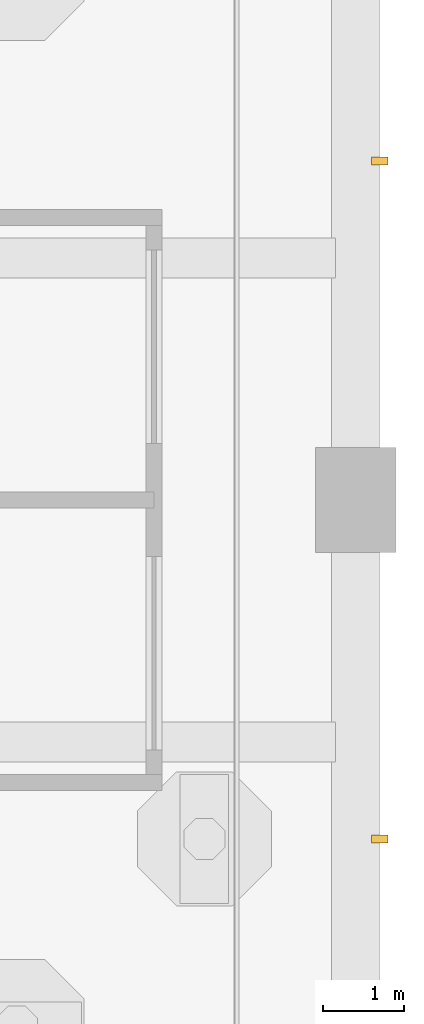
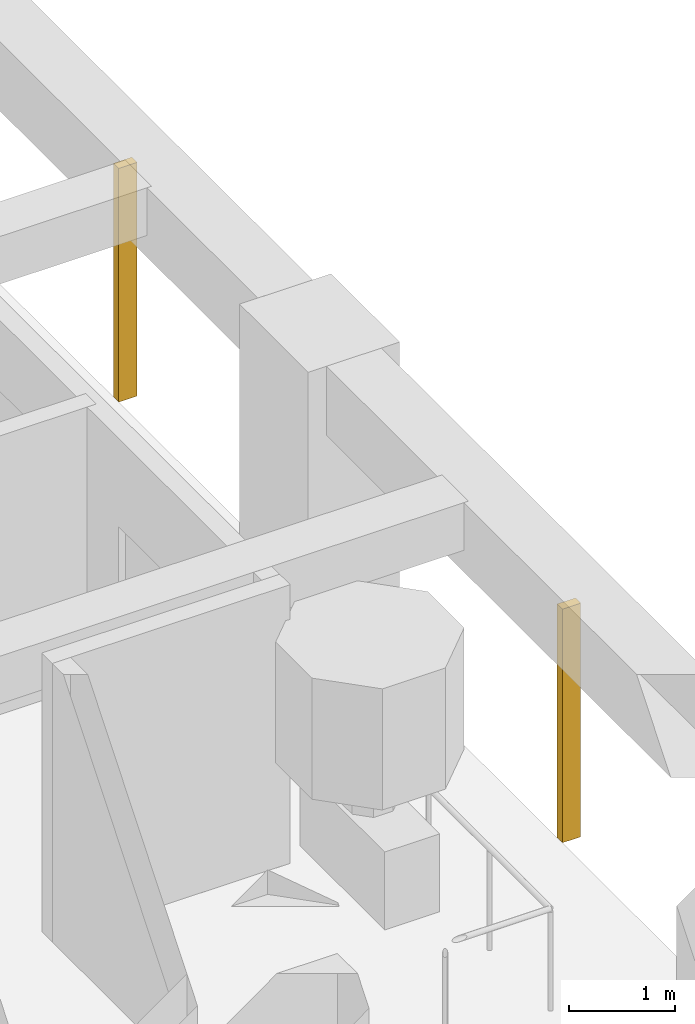
# One storey, part 15 of 18: 2 shading devices.
"""IFC4 building model written with IfcOpenShell, lengths in metres."""

import ifcopenshell
import ifcopenshell.guid

model = None  # the IFC model being written
_history = None  # IfcOwnerHistory: only IFC2X3 demands one
_inside = {}  # id of a spatial element -> (the spatial element, [elements in it])
_under = {}  # id of a project, library or spatial element -> (it, [spatial elements below it])
_declared = {}  # id of a project -> (the project, [libraries it declares])
_typed = {}  # id of a type object -> (the type object, [elements of that type])
_made_of = {}  # id of a material, layer set ... -> (it, [elements and type objects made of it])


def new_model(schema):
    """Start an empty IFC model of exactly this schema.

    Asked for "IFC4X3", IfcOpenShell would pick the latest addendum, in which some entities
    have other attributes; the version numbers below select the first issue.
    IFC2X3 requires an IfcOwnerHistory on every rooted entity: one is made here for all.
    """
    global model, _history
    if schema == "IFC4X3":
        model = ifcopenshell.file(schema_version=(4, 3, 0, 0))
    else:
        model = ifcopenshell.file(schema=schema)
    _inside.clear()
    _under.clear()
    _declared.clear()
    _typed.clear()
    _made_of.clear()
    _history = None
    if model.schema == "IFC2X3":
        org = make("IfcOrganization", Name="unknown")
        user = make(
            "IfcPersonAndOrganization",
            ThePerson=make("IfcPerson", FamilyName="unknown"),
            TheOrganization=org,
        )
        app = make(
            "IfcApplication",
            ApplicationDeveloper=org,
            Version="unknown",
            ApplicationFullName="unknown",
            ApplicationIdentifier="unknown",
        )
        _history = make(
            "IfcOwnerHistory",
            OwningUser=user,
            OwningApplication=app,
            ChangeAction="ADDED",
            CreationDate=0,
        )
    return model


def make(cls, **values):
    """One entity of the class cls with the attributes given. An attribute that is None is left unset."""
    return model.create_entity(
        cls, **{name: value for name, value in values.items() if value is not None}
    )


def rooted(cls, **values):
    """An entity with a GlobalId (a new one), such as an element, a storey or a relation."""
    return make(cls, GlobalId=ifcopenshell.guid.new(), OwnerHistory=_history, **values)


def si_unit(unit_type, name, prefix=None):
    """IfcSIUnit, for example si_unit("LENGTHUNIT", "METRE", prefix="MILLI")."""
    return make("IfcSIUnit", UnitType=unit_type, Prefix=prefix, Name=name)


def assignment(units):
    """IfcUnitAssignment: the units of a project."""
    return None if units is None else make("IfcUnitAssignment", Units=units)


def point(xyz):
    """IfcCartesianPoint."""
    return None if xyz is None else make("IfcCartesianPoint", Coordinates=xyz)


def direction(xyz):
    """IfcDirection."""
    return None if xyz is None else make("IfcDirection", DirectionRatios=xyz)


def frame(location, z_axis=None, x_axis=None):
    """IfcAxis2Placement3D, a coordinate frame: its origin and axes. An axis left out is left unset."""
    return make(
        "IfcAxis2Placement3D",
        Location=point(location),
        Axis=direction(z_axis),
        RefDirection=direction(x_axis),
    )


def frame_2d(location, x_axis=None):
    """IfcAxis2Placement2D, a coordinate frame in the plane: its origin and x axis."""
    return make(
        "IfcAxis2Placement2D", Location=point(location), RefDirection=direction(x_axis)
    )


def origin():
    """The frame at (0, 0, 0) with its axes left unset."""
    return frame((0.0, 0.0, 0.0))


def origin_2d():
    """The frame at (0, 0) in the plane with its x axis left unset."""
    return frame_2d((0.0, 0.0))


def place(relative_to, where):
    """IfcLocalPlacement: puts the frame where relative to a parent placement (None: the world)."""
    return make(
        "IfcLocalPlacement", PlacementRelTo=relative_to, RelativePlacement=where
    )


def context(
    kind, dimensions, precision=None, world=None, true_north=None, identifier=None
):
    """IfcGeometricRepresentationContext, for example the 3D "Model" context."""
    return make(
        "IfcGeometricRepresentationContext",
        ContextIdentifier=identifier,
        ContextType=kind,
        CoordinateSpaceDimension=dimensions,
        Precision=precision,
        WorldCoordinateSystem=world,
        TrueNorth=true_north,
    )


def subcontext(parent, identifier, kind, view, scale=None):
    """IfcGeometricRepresentationSubContext, for example "Body" below "Model"."""
    return make(
        "IfcGeometricRepresentationSubContext",
        ContextIdentifier=identifier,
        ContextType=kind,
        ParentContext=parent,
        TargetScale=scale,
        TargetView=view,
    )


def project(units=None, contexts=None):
    """IfcProject with its units and contexts."""
    return rooted(
        "IfcProject",
        Name="project",
        RepresentationContexts=contexts,
        UnitsInContext=assignment(units),
    )


def spatial(cls, under=None, at=None, **own):
    """A site, building, storey or space (cls), placed at a placement, below another one or the project."""
    s = rooted(cls, ObjectPlacement=at, **own)
    if under is not None:
        _under.setdefault(under.id(), (under, []))[1].append(s)
    return s


def profile(cls, at=None, kind="AREA", **sizes):
    """A parametric profile (cls). Its sizes go by their IFC names, for example OverallWidth=200.0."""
    return make(cls, ProfileType=kind, Position=at, **sizes)


def rectangle(**sizes):
    """IfcRectangleProfileDef."""
    return profile("IfcRectangleProfileDef", **sizes)


def extrude(swept, where, along, depth):
    """IfcExtrudedAreaSolid: the profile swept, set in the frame where, extruded along a direction by depth."""
    return make(
        "IfcExtrudedAreaSolid",
        SweptArea=swept,
        Position=where,
        ExtrudedDirection=direction(along),
        Depth=depth,
    )


def shape(context_of_items, identifier, shape_type, items):
    """IfcShapeRepresentation: the items that make up one representation, for example the "Body"."""
    return make(
        "IfcShapeRepresentation",
        ContextOfItems=context_of_items,
        RepresentationIdentifier=identifier,
        RepresentationType=shape_type,
        Items=items,
    )


def material(Name=None, Category=None):
    """IfcMaterial."""
    return make("IfcMaterial", Name=Name, Category=Category)


def material_profile(
    of_material, cross_section, Name=None, Category=None, Priority=None
):
    """IfcMaterialProfile: a cross section and its material."""
    return make(
        "IfcMaterialProfile",
        Name=Name,
        Material=of_material,
        Profile=cross_section,
        Priority=Priority,
        Category=Category,
    )


def profile_set(profiles, Name=None, composite=None):
    """IfcMaterialProfileSet."""
    return make(
        "IfcMaterialProfileSet",
        Name=Name,
        MaterialProfiles=profiles,
        CompositeProfile=composite,
    )


def made_of(thing, what):
    """Note that an element or type object is made of a material, layer set ...; save() writes the relation."""
    if what is not None:
        _made_of.setdefault(what.id(), (what, []))[1].append(thing)
    return thing


def type_object(cls, material=None, **own):
    """A type object (cls), such as IfcWallType, which elements share."""
    return made_of(rooted(cls, **own), material)


def element(
    cls,
    number,
    at=None,
    inside=None,
    cuts=None,
    type_object=None,
    material=None,
    context=None,
    identifier="Body",
    shape_type=None,
    held_by="IfcProductDefinitionShape",
    body=None,
    shapes=None,
    **own,
):
    """One element of the class cls, such as IfcWall. Its Tag is "e" and its number.

    at: its placement. inside: the storey or other place that contains it. cuts: it is an
    opening in that element (IfcRelVoidsElement). A single representation is given by context,
    identifier, shape_type and body (its items); several are given by shapes. held_by: the class
    of the entity that holds the representations. save() writes the other relations.
    """
    e = rooted(cls, Tag="e%d" % number, ObjectPlacement=at, **own)
    if body is not None:
        shapes = [shape(context, identifier, shape_type, body)]
    if shapes is not None:
        e.Representation = make(held_by, Representations=shapes)
    if inside is not None:
        _inside.setdefault(inside.id(), (inside, []))[1].append(e)
    if cuts is not None:
        rooted(
            "IfcRelVoidsElement", RelatingBuildingElement=cuts, RelatedOpeningElement=e
        )
    if type_object is not None:
        _typed.setdefault(type_object.id(), (type_object, []))[1].append(e)
    return made_of(e, material)


def aggregate(whole, parts):
    """IfcRelAggregates: a whole, such as a stair, and the parts it consists of."""
    return rooted("IfcRelAggregates", RelatingObject=whole, RelatedObjects=parts)


def save(model, path):
    """Write the relations noted so far, then the file.

    IfcRelAggregates (storeys below a building ...), IfcRelContainedInSpatialStructure (elements
    in a storey), IfcRelDefinesByType, IfcRelAssociatesMaterial and IfcRelDeclares: one each for
    every whole, place, type object, material and project.
    """
    for whole, parts in _under.values():
        aggregate(whole, parts)
    for where, things in _inside.values():
        rooted(
            "IfcRelContainedInSpatialStructure",
            RelatedElements=things,
            RelatingStructure=where,
        )
    for kind, things in _typed.values():
        rooted("IfcRelDefinesByType", RelatedObjects=things, RelatingType=kind)
    for what, things in _made_of.values():
        rooted("IfcRelAssociatesMaterial", RelatedObjects=things, RelatingMaterial=what)
    for by, libraries in _declared.values():
        rooted("IfcRelDeclares", RelatingContext=by, RelatedDefinitions=libraries)
    model.write(path)


model = new_model("IFC4")

# Units and contexts
model_context = context("Model", 3, precision=1e-05, world=origin(), true_north=direction((0.0, 1.0)))
body_context = subcontext(model_context, "Body", "Model", "MODEL_VIEW")
ifc_project = project(units=[si_unit("LENGTHUNIT", "METRE"), si_unit("AREAUNIT", "SQUARE_METRE"), si_unit("VOLUMEUNIT", "CUBIC_METRE"), si_unit("PLANEANGLEUNIT", "RADIAN"), si_unit("MASSUNIT", "GRAM", prefix="KILO")], contexts=[model_context])

# Site, building, storey
site_placement = place(None, origin())
site = spatial("IfcSite", under=ifc_project, at=site_placement, CompositionType="ELEMENT")
building_placement = place(site_placement, origin())
building = spatial("IfcBuilding", under=site, at=building_placement, Name="Vermilion Gate Residences", CompositionType="ELEMENT")
storey_placement = place(building_placement, frame((0.0, 0.0, 105.699951171875)))
storey = spatial("IfcBuildingStorey", under=building, at=storey_placement, Name="L26", CompositionType="ELEMENT", Elevation=105.699951171875)

# Shading devices
ifc_material = material(Name="Extruded terracotta", Category="masonry")
ifc_material_profile = material_profile(ifc_material, rectangle(XDim=0.199951171875, YDim=0.10009765625, at=origin_2d()), Name="BAGUETTE 100 X 200")
ifc_profile_set = profile_set([ifc_material_profile], Name="Extruded terracotta")
shading_device_type = type_object("IfcShadingDeviceType", Name="TERRACOTTA BAGUETTE 100 X 200", PredefinedType="JALOUSIE", material=ifc_profile_set)
for number, where, z_axis, x_axis, name in (
    (1, (67.5, 12.60009765625, -0.280029296875), (0.0, 0.0, 1.0), (-1.0, 0.0, 0.0), "BAGUETTE"),
    (2, (67.5, 21.0, -0.280029296875), (0.0, 0.0, 1.0), (-1.0, 0.0, 0.0), "BAGUETTE"),
):
    element("IfcShadingDevice", number, at=place(storey_placement, frame(where, z_axis=z_axis, x_axis=x_axis)), inside=storey, type_object=shading_device_type, Name=name, PredefinedType="JALOUSIE", context=body_context, shape_type="SweptSolid", body=[
        extrude(rectangle(XDim=0.199951171875, YDim=0.10009765625, at=origin_2d()), origin(), (0.0, 0.0, 1.0), 2.7001953125),
    ])

save(model, "model.ifc")
